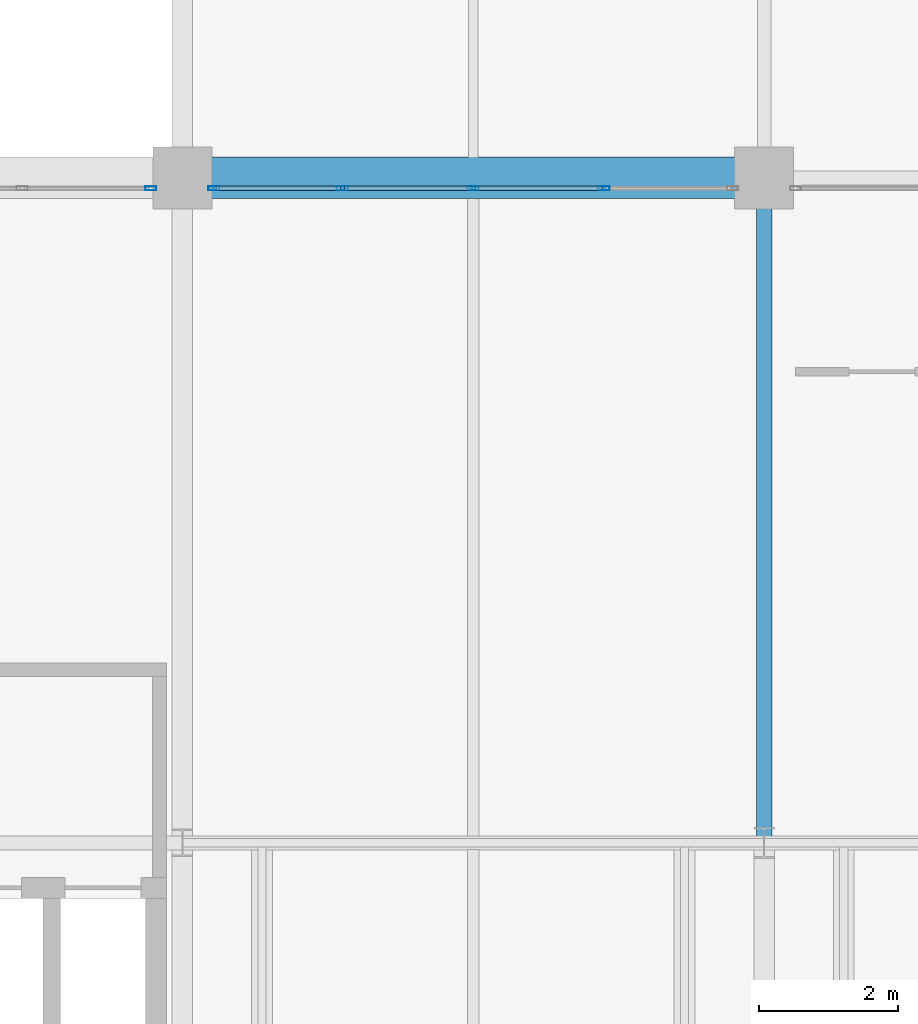
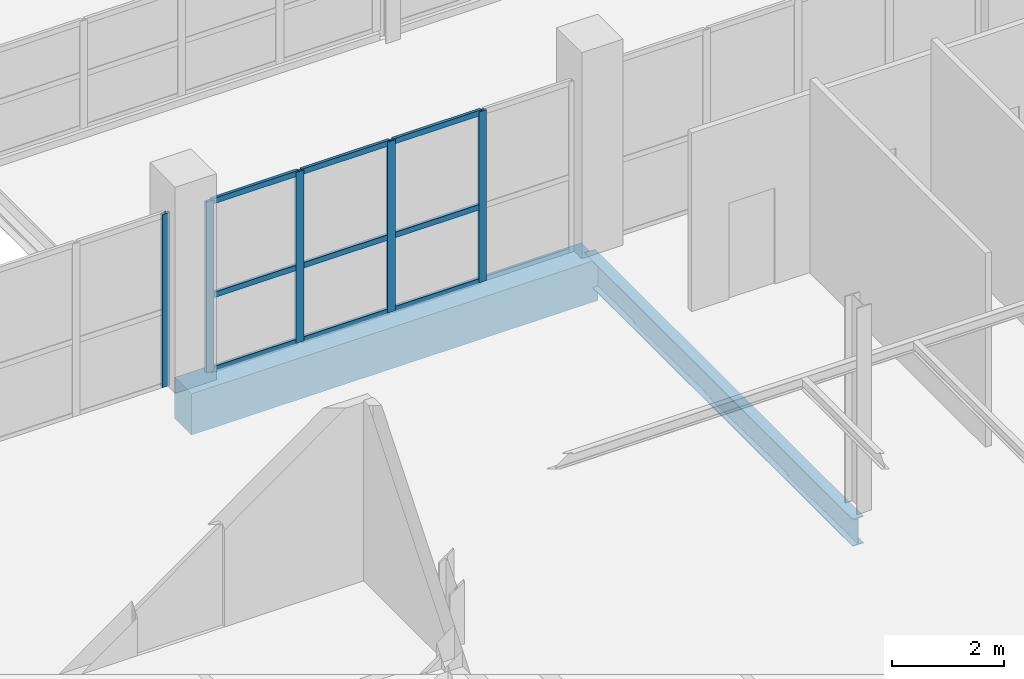
# One storey, part 17 of 103: 14 members, 2 beams, 2 elements without a shape of their own.
"""IFC4 building model written with IfcOpenShell, lengths in metres."""

from ifc_helpers import new_model, si_unit, direction, frame, origin, origin_2d, place, context, subcontext, project, spatial, rectangle, hollow_rectangle, i_section, extrude, material, material_profile, profile_set, type_object, element, aggregate, save


model = new_model("IFC4")

# Units and contexts
model_context = context("Model", 3, precision=1e-05, world=origin(), true_north=direction((0.0, 1.0)))
body_context = subcontext(model_context, "Body", "Model", "MODEL_VIEW")
ifc_project = project(units=[si_unit("LENGTHUNIT", "METRE"), si_unit("AREAUNIT", "SQUARE_METRE"), si_unit("VOLUMEUNIT", "CUBIC_METRE"), si_unit("PLANEANGLEUNIT", "RADIAN"), si_unit("MASSUNIT", "GRAM", prefix="KILO")], contexts=[model_context])

# Site, building, storey
site_placement = place(None, origin())
site = spatial("IfcSite", under=ifc_project, at=site_placement, CompositionType="ELEMENT")
building_placement = place(site_placement, origin())
building = spatial("IfcBuilding", under=site, at=building_placement, Name="Veltarok Museum of Natural Sciences", CompositionType="ELEMENT")
storey_placement = place(building_placement, frame((0.0, 0.0, 21.89990234375)))
storey = spatial("IfcBuildingStorey", under=building, at=storey_placement, Name="L04", CompositionType="ELEMENT", Elevation=21.89990234375)

# Curtain wall, members
ifc_material_1 = material(Name="Low-iron triple insulated glass", Category="glass")
curtain_wall_type_1 = type_object("IfcCurtainWallType", Name="Curtain Wall System CW-V1CN4-L04-3-755x373 (CW-V1CN4 L04 755x373cm)", PredefinedType="NOTDEFINED", material=ifc_material_1)
curtain_wall_1_placement = place(storey_placement, origin())
curtain_wall_1 = element("IfcCurtainWall", 1, at=curtain_wall_1_placement, inside=storey, type_object=curtain_wall_type_1, Name="Curtain Wall CW-V1CN4-L04-3-755x373 CW-0163", PredefinedType="NOTDEFINED")
ifc_material_2 = material(Name="Thermally broken anodised aluminium", Category="aluminium")
ifc_material_profile_1 = material_profile(ifc_material_2, hollow_rectangle(XDim=0.06005859375, YDim=0.1201171875, WallThickness=0.0048828125, at=origin_2d()), Name="CW TRANSOM 60x120x5")
ifc_profile_set_1 = profile_set([ifc_material_profile_1], Name="Thermally broken anodised aluminium")
member_type_1 = type_object("IfcMemberType", Name="Curtain Wall Horizontal Transom 60x120x5", PredefinedType="USERDEFINED", material=ifc_profile_set_1)
member_1_placement = place(storey_placement, frame((46.0576171875, 19.050048828125, 0.028076171875), z_axis=(-1.0, 0.0, 0.0), x_axis=(0.0, -1.0, 0.0)))
member_1 = element("IfcMember", 2, at=member_1_placement, type_object=member_type_1, Name="CW-V1CN4-L04-3-755x373 transom 2.1", ObjectType="TRANSOM", PredefinedType="USERDEFINED", context=body_context, shape_type="SweptSolid", body=[
    extrude(hollow_rectangle(XDim=0.06005859375, YDim=0.1201171875, WallThickness=0.0048828125, at=origin_2d()), origin(), (0.0, 0.0, 1.0), 1.82763671875),
])
member_2_placement = place(storey_placement, frame((46.0576171875, 19.050048828125, 1.648193359375), z_axis=(-1.0, 0.0, 0.0), x_axis=(0.0, -1.0, 0.0)))
member_2 = element("IfcMember", 3, at=member_2_placement, type_object=member_type_1, Name="CW-V1CN4-L04-3-755x373 transom 2.2", ObjectType="TRANSOM", PredefinedType="USERDEFINED", context=body_context, shape_type="SweptSolid", body=[
    extrude(hollow_rectangle(XDim=0.06005859375, YDim=0.1201171875, WallThickness=0.0048828125, at=origin_2d()), origin(), (0.0, 0.0, 1.0), 1.82763671875),
])
member_3_placement = place(storey_placement, frame((46.0576171875, 19.050048828125, 3.7001953125), z_axis=(-1.0, 0.0, 0.0), x_axis=(0.0, -1.0, 0.0)))
member_3 = element("IfcMember", 4, at=member_3_placement, type_object=member_type_1, Name="CW-V1CN4-L04-3-755x373 transom 2.3", ObjectType="TRANSOM", PredefinedType="USERDEFINED", context=body_context, shape_type="SweptSolid", body=[
    extrude(hollow_rectangle(XDim=0.06005859375, YDim=0.1201171875, WallThickness=0.0048828125, at=origin_2d()), origin(), (0.0, 0.0, 1.0), 1.82763671875),
])
member_4_placement = place(storey_placement, frame((44.169921875, 19.050048828125, 0.028076171875), z_axis=(-1.0, 0.0, 0.0), x_axis=(0.0, -1.0, 0.0)))
member_4 = element("IfcMember", 5, at=member_4_placement, type_object=member_type_1, Name="CW-V1CN4-L04-3-755x373 transom 3.1", ObjectType="TRANSOM", PredefinedType="USERDEFINED", context=body_context, shape_type="SweptSolid", body=[
    extrude(hollow_rectangle(XDim=0.06005859375, YDim=0.1201171875, WallThickness=0.0048828125, at=origin_2d()), origin(), (0.0, 0.0, 1.0), 1.827392578125),
])
member_5_placement = place(storey_placement, frame((44.169921875, 19.050048828125, 1.648193359375), z_axis=(-1.0, 0.0, 0.0), x_axis=(0.0, -1.0, 0.0)))
member_5 = element("IfcMember", 6, at=member_5_placement, type_object=member_type_1, Name="CW-V1CN4-L04-3-755x373 transom 3.2", ObjectType="TRANSOM", PredefinedType="USERDEFINED", context=body_context, shape_type="SweptSolid", body=[
    extrude(hollow_rectangle(XDim=0.06005859375, YDim=0.1201171875, WallThickness=0.0048828125, at=origin_2d()), origin(), (0.0, 0.0, 1.0), 1.827392578125),
])
member_6_placement = place(storey_placement, frame((44.169921875, 19.050048828125, 3.7001953125), z_axis=(-1.0, 0.0, 0.0), x_axis=(0.0, -1.0, 0.0)))
member_6 = element("IfcMember", 7, at=member_6_placement, type_object=member_type_1, Name="CW-V1CN4-L04-3-755x373 transom 3.3", ObjectType="TRANSOM", PredefinedType="USERDEFINED", context=body_context, shape_type="SweptSolid", body=[
    extrude(hollow_rectangle(XDim=0.06005859375, YDim=0.1201171875, WallThickness=0.0048828125, at=origin_2d()), origin(), (0.0, 0.0, 1.0), 1.827392578125),
])
member_7_placement = place(storey_placement, frame((42.282470703125, 19.050048828125, 0.028076171875), z_axis=(-1.0, 0.0, 0.0), x_axis=(0.0, -1.0, 0.0)))
member_7 = element("IfcMember", 8, at=member_7_placement, type_object=member_type_1, Name="CW-V1CN4-L04-3-755x373 transom 4.1", ObjectType="TRANSOM", PredefinedType="USERDEFINED", context=body_context, shape_type="SweptSolid", body=[
    extrude(hollow_rectangle(XDim=0.06005859375, YDim=0.1201171875, WallThickness=0.0048828125, at=origin_2d()), origin(), (0.0, 0.0, 1.0), 1.79736328125),
])
member_8_placement = place(storey_placement, frame((42.282470703125, 19.050048828125, 1.648193359375), z_axis=(-1.0, 0.0, 0.0), x_axis=(0.0, -1.0, 0.0)))
member_8 = element("IfcMember", 9, at=member_8_placement, type_object=member_type_1, Name="CW-V1CN4-L04-3-755x373 transom 4.2", ObjectType="TRANSOM", PredefinedType="USERDEFINED", context=body_context, shape_type="SweptSolid", body=[
    extrude(hollow_rectangle(XDim=0.06005859375, YDim=0.1201171875, WallThickness=0.0048828125, at=origin_2d()), origin(), (0.0, 0.0, 1.0), 1.79736328125),
])
member_9_placement = place(storey_placement, frame((42.282470703125, 19.050048828125, 3.7001953125), z_axis=(-1.0, 0.0, 0.0), x_axis=(0.0, -1.0, 0.0)))
member_9 = element("IfcMember", 10, at=member_9_placement, type_object=member_type_1, Name="CW-V1CN4-L04-3-755x373 transom 4.3", ObjectType="TRANSOM", PredefinedType="USERDEFINED", context=body_context, shape_type="SweptSolid", body=[
    extrude(hollow_rectangle(XDim=0.06005859375, YDim=0.1201171875, WallThickness=0.0048828125, at=origin_2d()), origin(), (0.0, 0.0, 1.0), 1.79736328125),
])

# Curtain wall, member
curtain_wall_type_2 = type_object("IfcCurtainWallType", Name="Curtain Wall System CW-V1CN4-L04-2-755x378 (CW-V1CN4 L04 755x378cm)", PredefinedType="NOTDEFINED", material=ifc_material_1)
curtain_wall_2_placement = place(storey_placement, origin())
curtain_wall_2 = element("IfcCurtainWall", 11, at=curtain_wall_2_placement, inside=storey, type_object=curtain_wall_type_2, Name="Curtain Wall CW-V1CN4-L04-2-755x378 CW-0162", PredefinedType="NOTDEFINED")
ifc_material_profile_2 = material_profile(ifc_material_2, hollow_rectangle(XDim=0.06005859375, YDim=0.159912109375, WallThickness=0.0048828125, at=origin_2d()), Name="CW MULLION 60x160x5")
ifc_profile_set_2 = profile_set([ifc_material_profile_2], Name="Thermally broken anodised aluminium")
member_type_2 = type_object("IfcMemberType", Name="Curtain Wall Vertical Mullion 60x160x5", PredefinedType="MULLION", material=ifc_profile_set_2)
member_10_placement = place(storey_placement, frame((39.544921875, 19.050048828125, -0.001953125), z_axis=(0.0, 0.0, 1.0), x_axis=(0.0, -1.0, 0.0)))
member_10 = element("IfcMember", 12, at=member_10_placement, type_object=member_type_2, Name="CW-V1CN4-L04-2-755x378 mullion 1", PredefinedType="MULLION", context=body_context, shape_type="SweptSolid", body=[
    extrude(hollow_rectangle(XDim=0.06005859375, YDim=0.159912109375, WallThickness=0.0048828125, at=origin_2d()), origin(), (0.0, 0.0, 1.0), 3.781982421875),
])
aggregate(curtain_wall_2, [member_10])

# Member
member_11_placement = place(storey_placement, frame((46.08740234375, 19.050048828125, -0.001953125), z_axis=(0.0, 0.0, 1.0), x_axis=(0.0, -1.0, 0.0)))
member_11 = element("IfcMember", 13, at=member_11_placement, type_object=member_type_2, Name="CW-V1CN4-L04-3-755x373 mullion 2", PredefinedType="MULLION", context=body_context, shape_type="SweptSolid", body=[
    extrude(hollow_rectangle(XDim=0.06005859375, YDim=0.159912109375, WallThickness=0.0048828125, at=origin_2d()), origin(), (0.0, 0.0, 1.0), 3.73193359375),
])

member_12_placement = place(storey_placement, frame((44.199951171875, 19.050048828125, -0.001953125), z_axis=(0.0, 0.0, 1.0), x_axis=(0.0, -1.0, 0.0)))
member_12 = element("IfcMember", 14, at=member_12_placement, type_object=member_type_2, Name="CW-V1CN4-L04-3-755x373 mullion 3", PredefinedType="MULLION", context=body_context, shape_type="SweptSolid", body=[
    extrude(hollow_rectangle(XDim=0.06005859375, YDim=0.159912109375, WallThickness=0.0048828125, at=origin_2d()), origin(), (0.0, 0.0, 1.0), 3.73193359375),
])

member_13_placement = place(storey_placement, frame((42.3125, 19.050048828125, -0.001953125), z_axis=(0.0, 0.0, 1.0), x_axis=(0.0, -1.0, 0.0)))
member_13 = element("IfcMember", 15, at=member_13_placement, type_object=member_type_2, Name="CW-V1CN4-L04-3-755x373 mullion 4", PredefinedType="MULLION", context=body_context, shape_type="SweptSolid", body=[
    extrude(hollow_rectangle(XDim=0.06005859375, YDim=0.159912109375, WallThickness=0.0048828125, at=origin_2d()), origin(), (0.0, 0.0, 1.0), 3.73193359375),
])

member_14_placement = place(storey_placement, frame((40.455078125, 19.050048828125, -0.001953125), z_axis=(0.0, 0.0, 1.0), x_axis=(0.0, -1.0, 0.0)))
member_14 = element("IfcMember", 16, at=member_14_placement, type_object=member_type_2, Name="CW-V1CN4-L04-3-755x373 mullion 5", PredefinedType="MULLION", context=body_context, shape_type="SweptSolid", body=[
    extrude(hollow_rectangle(XDim=0.06005859375, YDim=0.159912109375, WallThickness=0.0048828125, at=origin_2d()), origin(), (0.0, 0.0, 1.0), 3.73193359375),
])

aggregate(curtain_wall_1, [member_11, member_12, member_13, member_14, member_1, member_2, member_3, member_4, member_5, member_6, member_7, member_8, member_9])

# Beams
ifc_material_3 = material(Name="Concrete C40/50", Category="concrete")
ifc_material_profile_3 = material_profile(ifc_material_3, rectangle(XDim=0.60009765625, YDim=0.89990234375, at=origin_2d()), Name="RC 600x900")
ifc_profile_set_3 = profile_set([ifc_material_profile_3], Name="Concrete C40/50")
beam_type_1 = type_object("IfcBeamType", Name="Exposed Cabinet Perimeter Spandrel RC 600x900", PredefinedType="SPANDREL", material=ifc_profile_set_3)
beam_1_placement = place(storey_placement, frame((40.0, 19.199951171875, -0.699951171875), z_axis=(1.0, 0.0, 0.0), x_axis=(0.0, 1.0, 0.0)))
element("IfcBeam", 17, at=beam_1_placement, inside=storey, type_object=beam_type_1, Name="Beam BM-SP01 L04 5-6/C", PredefinedType="SPANDREL", context=body_context, shape_type="SweptSolid", body=[
    extrude(rectangle(XDim=0.60009765625, YDim=0.89990234375, at=origin_2d()), origin(), (0.0, 0.0, 1.0), 8.39990234375),
])
ifc_material_4 = material(Name="Steel S355J2", Category="steel")
ifc_material_profile_4 = material_profile(ifc_material_4, i_section(OverallWidth=0.219970703125, OverallDepth=0.60009765625, WebThickness=0.011962890625, FlangeThickness=0.01904296875, FilletRadius=0.02392578125, at=origin_2d()), Name="IPE 600")
ifc_profile_set_4 = profile_set([ifc_material_profile_4], Name="Steel S355J2")
beam_type_2 = type_object("IfcBeamType", Name="Primary Museum Girder IPE 600", PredefinedType="BEAM", material=ifc_profile_set_4)
beam_2_placement = place(storey_placement, frame((48.39990234375, 9.60009765625, -0.5498046875), z_axis=(0.0, 1.0, 0.0), x_axis=(-1.0, 0.0, 0.0)))
element("IfcBeam", 18, at=beam_2_placement, inside=storey, type_object=beam_type_2, Name="Beam BM-G02 L04 6/B-C", PredefinedType="BEAM", context=body_context, shape_type="SweptSolid", body=[
    extrude(i_section(OverallWidth=0.219970703125, OverallDepth=0.60009765625, WebThickness=0.011962890625, FlangeThickness=0.01904296875, FilletRadius=0.02392578125, at=origin_2d()), origin(), (0.0, 0.0, 1.0), 9.599853515625),
])

save(model, "model.ifc")
